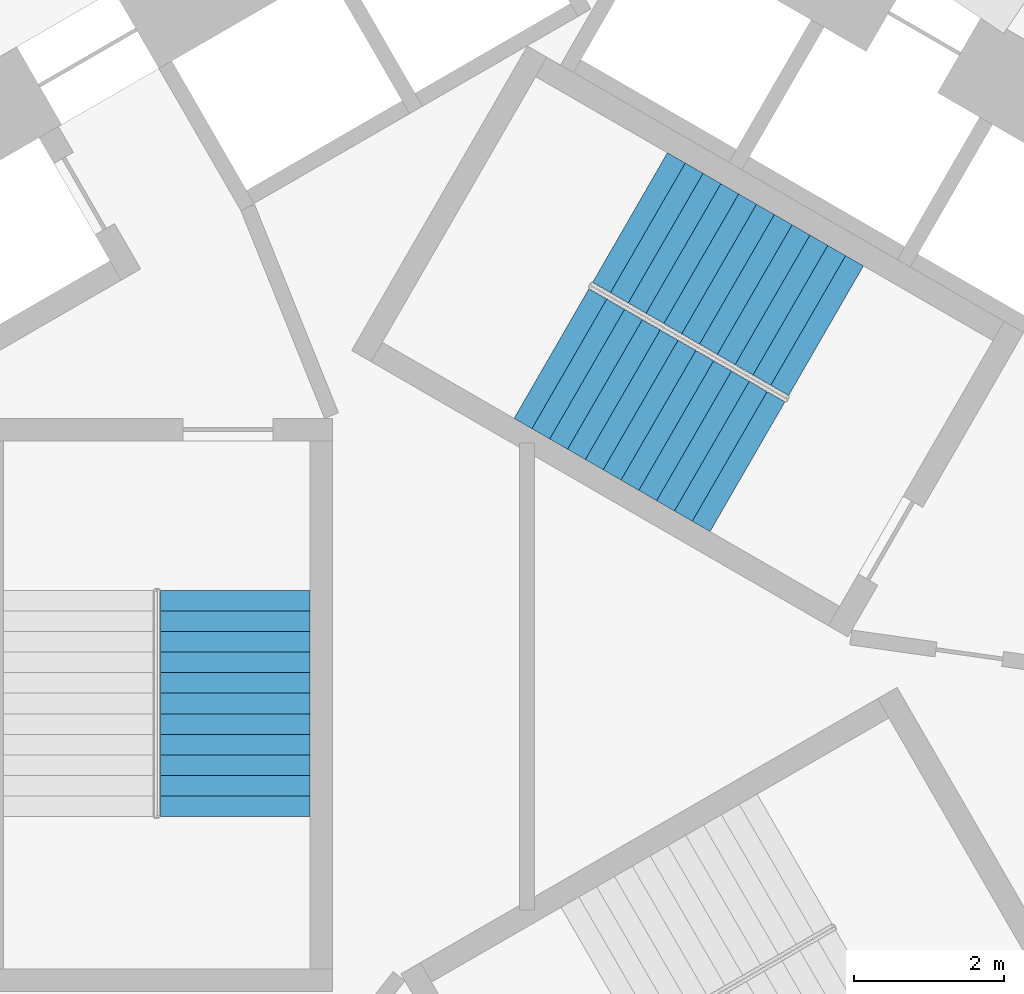
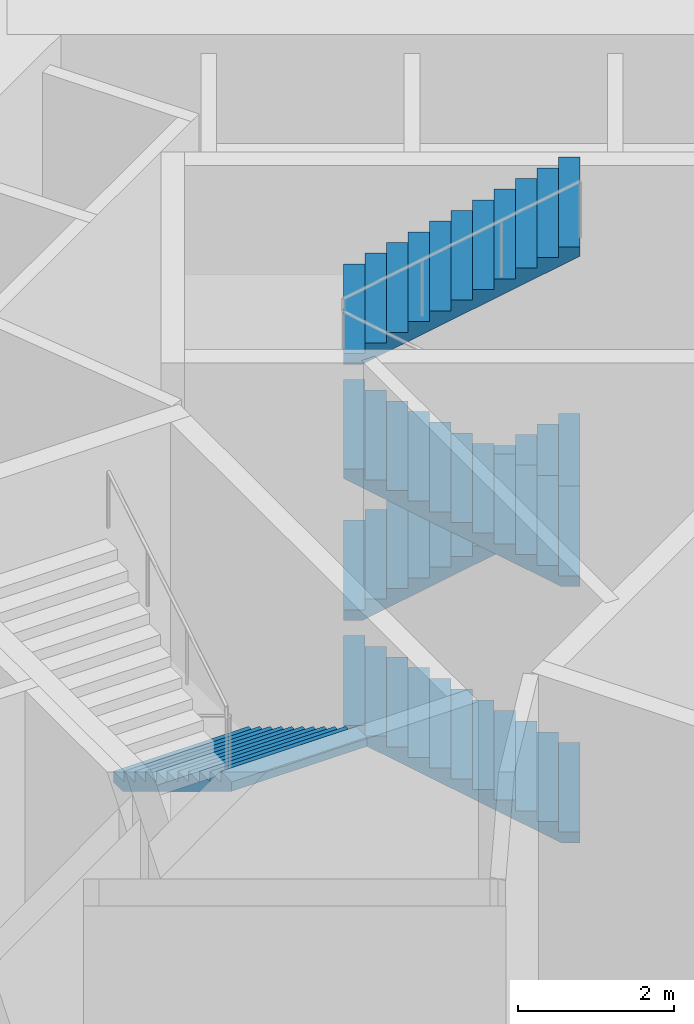
# One storey, part 13 of 15: 5 stair flights, 2 elements without a shape of their own.
"""IFC4 building model written with IfcOpenShell, lengths in metres."""

from ifc_helpers import new_model, si_unit, direction, frame, origin, place, context, subcontext, project, spatial, triangles, source, transform, mapped, material, type_object, element, aggregate, save


model = new_model("IFC4")

# Units and contexts
model_context = context("Model", 3, precision=1e-05, world=origin(), true_north=direction((0.0, 1.0)))
body_context = subcontext(model_context, "Body", "Model", "MODEL_VIEW")
ifc_project = project(units=[si_unit("LENGTHUNIT", "METRE"), si_unit("AREAUNIT", "SQUARE_METRE"), si_unit("VOLUMEUNIT", "CUBIC_METRE"), si_unit("PLANEANGLEUNIT", "RADIAN"), si_unit("MASSUNIT", "GRAM", prefix="KILO")], contexts=[model_context])

# Site, building, storey
site_placement = place(None, origin())
site = spatial("IfcSite", under=ifc_project, at=site_placement, CompositionType="ELEMENT")
building_placement = place(site_placement, origin())
building = spatial("IfcBuilding", under=site, at=building_placement, Name="Vanh Sen Convention Tower", CompositionType="ELEMENT")
storey_placement = place(building_placement, frame((0.0, 0.0, 21.0)))
storey = spatial("IfcBuildingStorey", under=building, at=storey_placement, Name="L03", CompositionType="ELEMENT", Elevation=21.0)

# Stair, stair flights
ifc_material_1 = material(Name="Concrete C50/60", Category="concrete")
stair_type_1 = type_object("IfcStairType", Name="Exit stair ST1 48 risers at 166.7", PredefinedType="HALF_TURN_STAIR", material=ifc_material_1)
stair_1_placement = place(storey_placement, origin())
stair_1 = element("IfcStair", 1, at=stair_1_placement, inside=storey, type_object=stair_type_1, Name="Exit stair ST1 L03", PredefinedType="HALF_TURN_STAIR")
ifc_material_2 = material(Name="Concrete C40/50", Category="concrete")
stair_flight_type = type_object("IfcStairFlightType", Name="Stair flight 2000", PredefinedType="STRAIGHT", material=ifc_material_2)
shared_shape = source(origin(), body_context, "Body", "Tessellation", [
    triangles([(0.2412109375, 1.0, 0.0), (0.0, 1.0, 0.0), (0.0, 1.0, 0.166748046875), (0.27490234375, 1.0, 0.166748046875), (0.27490234375, 1.0, 0.333251953125), (0.550048828125, 1.0, 0.333251953125), (0.550048828125, 1.0, 0.5), (0.824951171875, 1.0, 0.5), (0.824951171875, 1.0, 0.666748046875), (1.10009765625, 1.0, 0.666748046875), (1.10009765625, 1.0, 0.833251953125), (1.375, 1.0, 0.833251953125), (1.375, 1.0, 1.0), (1.64990234375, 1.0, 1.0), (1.64990234375, 1.0, 1.166748046875), (1.925048828125, 1.0, 1.166748046875), (1.925048828125, 1.0, 1.333251953125), (2.199951171875, 1.0, 1.333251953125), (2.199951171875, 1.0, 1.5), (2.47509765625, 1.0, 1.5), (2.47509765625, 1.0, 1.666748046875), (2.75, 1.0, 1.666748046875), (2.75, 1.0, 1.833251953125), (3.02490234375, 1.0, 1.833251953125), (3.02490234375, 1.0, 1.687255859375), (0.2412109375, -1.0, 0.0), (0.0, -1.0, 0.0), (0.0, -1.0, 0.166748046875), (0.27490234375, -1.0, 0.166748046875), (0.27490234375, -1.0, 0.333251953125), (0.550048828125, -1.0, 0.333251953125), (0.550048828125, -1.0, 0.5), (0.824951171875, -1.0, 0.5), (0.824951171875, -1.0, 0.666748046875), (1.10009765625, -1.0, 0.666748046875), (1.10009765625, -1.0, 0.833251953125), (1.375, -1.0, 0.833251953125), (1.375, -1.0, 1.0), (1.64990234375, -1.0, 1.0), (1.64990234375, -1.0, 1.166748046875), (1.925048828125, -1.0, 1.166748046875), (1.925048828125, -1.0, 1.333251953125), (2.199951171875, -1.0, 1.333251953125), (2.199951171875, -1.0, 1.5), (2.47509765625, -1.0, 1.5), (2.47509765625, -1.0, 1.666748046875), (2.75, -1.0, 1.666748046875), (2.75, -1.0, 1.833251953125), (3.02490234375, -1.0, 1.833251953125), (3.02490234375, -1.0, 1.687255859375), (0.0, 0.0400390625, 0.0), (0.0, 0.0390625, 0.0), (0.0, 0.0380859375, 0.0), (0.0, 0.037109375, 0.0), (0.0, 0.035888671875, 0.0), (0.0, 0.034912109375, 0.0), (0.0, 0.033935546875, 0.0), (0.0, 0.032958984375, 0.0), (0.0, 0.031982421875, 0.0), (0.0, 0.031005859375, 0.0), (0.0, 0.030029296875, 0.0), (0.0, 0.029052734375, 0.0), (0.0, 0.028076171875, 0.0), (0.0, 0.027099609375, 0.0), (0.0, 0.02587890625, 0.0), (0.0, 0.02490234375, 0.0), (0.0, 0.02392578125, 0.0), (0.0, 0.02294921875, 0.0), (0.0, 0.02197265625, 0.0), (0.0, 0.02099609375, 0.0), (0.0, 0.02001953125, 0.0), (0.0, 0.01904296875, 0.0), (0.0, 0.01806640625, 0.0), (0.0, 0.01708984375, 0.0), (0.0, 0.01611328125, 0.0), (0.0, 0.014892578125, 0.0), (0.0, 0.013916015625, 0.0), (0.0, 0.012939453125, 0.0), (0.0, 0.011962890625, 0.0), (0.0, 0.010986328125, 0.0), (0.0, 0.010009765625, 0.0), (0.0, 0.009033203125, 0.0), (0.0, 0.008056640625, 0.0), (0.0, 0.007080078125, 0.0), (0.0, 0.006103515625, 0.0), (0.0, 0.0048828125, 0.0), (0.0, 0.00390625, 0.0), (0.0, 0.0029296875, 0.0), (0.0, 0.001953125, 0.0), (0.0, 0.0009765625, 0.0), (0.0, 0.0, 0.0), (0.0, -0.0009765625, 0.0), (0.0, -0.001953125, 0.0), (0.0, -0.0029296875, 0.0), (0.0, -0.00390625, 0.0), (0.0, -0.0048828125, 0.0), (0.0, -0.006103515625, 0.0), (0.0, -0.007080078125, 0.0), (0.0, -0.008056640625, 0.0), (0.0, -0.009033203125, 0.0), (0.0, -0.010009765625, 0.0), (0.0, -0.010986328125, 0.0), (0.0, -0.011962890625, 0.0), (0.0, -0.012939453125, 0.0), (0.0, -0.013916015625, 0.0), (0.0, -0.014892578125, 0.0), (0.0, -0.01611328125, 0.0), (0.0, -0.01708984375, 0.0), (0.0, -0.01806640625, 0.0), (0.0, -0.01904296875, 0.0), (0.0, -0.02001953125, 0.0), (0.0, -0.02099609375, 0.0), (0.0, -0.02197265625, 0.0), (0.0, -0.02294921875, 0.0), (0.0, -0.02392578125, 0.0), (0.0, -0.02490234375, 0.0), (0.0, -0.02587890625, 0.0), (0.0, -0.027099609375, 0.0), (0.0, -0.028076171875, 0.0), (0.0, -0.029052734375, 0.0), (0.0, -0.030029296875, 0.0), (0.0, -0.031005859375, 0.0), (0.0, -0.031982421875, 0.0), (0.0, -0.032958984375, 0.0), (0.0, -0.033935546875, 0.0), (0.0, -0.034912109375, 0.0), (0.0, -0.035888671875, 0.0), (0.0, -0.037109375, 0.0), (0.0, -0.0380859375, 0.0), (0.0, -0.0390625, 0.0), (0.0, -0.0400390625, 0.0), (0.0, 0.0400390625, 0.166748046875), (0.0, 0.0390625, 0.166748046875), (0.0, 0.0380859375, 0.166748046875), (0.0, 0.037109375, 0.166748046875), (0.0, 0.035888671875, 0.166748046875), (0.0, 0.034912109375, 0.166748046875), (0.0, 0.033935546875, 0.166748046875), (0.0, 0.032958984375, 0.166748046875), (0.0, 0.031982421875, 0.166748046875), (0.0, 0.031005859375, 0.166748046875), (0.0, 0.030029296875, 0.166748046875), (0.0, 0.029052734375, 0.166748046875), (0.0, 0.028076171875, 0.166748046875), (0.0, 0.027099609375, 0.166748046875), (0.0, 0.02587890625, 0.166748046875), (0.0, 0.02490234375, 0.166748046875), (0.0, 0.02392578125, 0.166748046875), (0.0, 0.02294921875, 0.166748046875), (0.0, 0.02197265625, 0.166748046875), (0.0, 0.02099609375, 0.166748046875), (0.0, 0.02001953125, 0.166748046875), (0.0, 0.01904296875, 0.166748046875), (0.0, 0.01806640625, 0.166748046875), (0.0, 0.01708984375, 0.166748046875), (0.0, 0.01611328125, 0.166748046875), (0.0, 0.014892578125, 0.166748046875), (0.0, 0.013916015625, 0.166748046875), (0.0, 0.012939453125, 0.166748046875), (0.0, 0.011962890625, 0.166748046875), (0.0, 0.010986328125, 0.166748046875), (0.0, 0.010009765625, 0.166748046875), (0.0, 0.009033203125, 0.166748046875), (0.0, 0.008056640625, 0.166748046875), (0.0, 0.007080078125, 0.166748046875), (0.0, 0.006103515625, 0.166748046875), (0.0, 0.0048828125, 0.166748046875), (0.0, 0.00390625, 0.166748046875), (0.0, 0.0029296875, 0.166748046875), (0.0, 0.001953125, 0.166748046875), (0.0, 0.0009765625, 0.166748046875), (0.0, 0.0, 0.166748046875), (0.0, -0.0009765625, 0.166748046875), (0.0, -0.001953125, 0.166748046875), (0.0, -0.0029296875, 0.166748046875), (0.0, -0.00390625, 0.166748046875), (0.0, -0.0048828125, 0.166748046875), (0.0, -0.006103515625, 0.166748046875), (0.0, -0.007080078125, 0.166748046875), (0.0, -0.008056640625, 0.166748046875), (0.0, -0.009033203125, 0.166748046875), (0.0, -0.010009765625, 0.166748046875), (0.0, -0.010986328125, 0.166748046875), (0.0, -0.011962890625, 0.166748046875), (0.0, -0.012939453125, 0.166748046875), (0.0, -0.013916015625, 0.166748046875), (0.0, -0.014892578125, 0.166748046875), (0.0, -0.01611328125, 0.166748046875), (0.0, -0.01708984375, 0.166748046875), (0.0, -0.01806640625, 0.166748046875), (0.0, -0.01904296875, 0.166748046875), (0.0, -0.02001953125, 0.166748046875), (0.0, -0.02099609375, 0.166748046875), (0.0, -0.02197265625, 0.166748046875), (0.0, -0.02294921875, 0.166748046875), (0.0, -0.02392578125, 0.166748046875), (0.0, -0.02490234375, 0.166748046875), (0.0, -0.02587890625, 0.166748046875), (0.0, -0.027099609375, 0.166748046875), (0.0, -0.028076171875, 0.166748046875), (0.0, -0.029052734375, 0.166748046875), (0.0, -0.030029296875, 0.166748046875), (0.0, -0.031005859375, 0.166748046875), (0.0, -0.031982421875, 0.166748046875), (0.0, -0.032958984375, 0.166748046875), (0.0, -0.033935546875, 0.166748046875), (0.0, -0.034912109375, 0.166748046875), (0.0, -0.035888671875, 0.166748046875), (0.0, -0.037109375, 0.166748046875), (0.0, -0.0380859375, 0.166748046875), (0.0, -0.0390625, 0.166748046875), (0.0, -0.0400390625, 0.166748046875), (0.27490234375, 0.0, 0.166748046875), (0.27490234375, 0.0, 0.333251953125), (0.550048828125, 0.0, 0.333251953125), (0.550048828125, 0.0, 0.5), (0.824951171875, 0.0, 0.5), (0.824951171875, 0.0, 0.666748046875), (1.10009765625, 0.0, 0.666748046875), (1.10009765625, 0.0, 0.833251953125), (1.375, 0.0, 0.833251953125), (1.375, 0.0, 1.0), (1.64990234375, 0.0, 1.0), (1.64990234375, 0.0, 1.166748046875), (1.925048828125, 0.0, 1.166748046875), (1.925048828125, 0.0, 1.333251953125), (2.199951171875, 0.0, 1.333251953125), (2.199951171875, 0.0, 1.5), (2.47509765625, 0.0, 1.5), (2.47509765625, 0.0, 1.666748046875), (2.75, 0.0, 1.666748046875), (2.75, 0.0, 1.833251953125), (3.02490234375, 0.0400390625, 1.833251953125), (3.02490234375, 0.0390625, 1.833251953125), (3.02490234375, 0.0380859375, 1.833251953125), (3.02490234375, 0.037109375, 1.833251953125), (3.02490234375, 0.035888671875, 1.833251953125), (3.02490234375, 0.034912109375, 1.833251953125), (3.02490234375, 0.033935546875, 1.833251953125), (3.02490234375, 0.032958984375, 1.833251953125), (3.02490234375, 0.031982421875, 1.833251953125), (3.02490234375, 0.031005859375, 1.833251953125), (3.02490234375, 0.030029296875, 1.833251953125), (3.02490234375, 0.029052734375, 1.833251953125), (3.02490234375, 0.028076171875, 1.833251953125), (3.02490234375, 0.027099609375, 1.833251953125), (3.02490234375, 0.02587890625, 1.833251953125), (3.02490234375, 0.02490234375, 1.833251953125), (3.02490234375, 0.02392578125, 1.833251953125), (3.02490234375, 0.02294921875, 1.833251953125), (3.02490234375, 0.02197265625, 1.833251953125), (3.02490234375, 0.02099609375, 1.833251953125), (3.02490234375, 0.02001953125, 1.833251953125), (3.02490234375, 0.01904296875, 1.833251953125), (3.02490234375, 0.01806640625, 1.833251953125), (3.02490234375, 0.01708984375, 1.833251953125), (3.02490234375, 0.01611328125, 1.833251953125), (3.02490234375, 0.014892578125, 1.833251953125), (3.02490234375, 0.013916015625, 1.833251953125), (3.02490234375, 0.012939453125, 1.833251953125), (3.02490234375, 0.011962890625, 1.833251953125), (3.02490234375, 0.010986328125, 1.833251953125), (3.02490234375, 0.010009765625, 1.833251953125), (3.02490234375, 0.009033203125, 1.833251953125), (3.02490234375, 0.008056640625, 1.833251953125), (3.02490234375, 0.007080078125, 1.833251953125), (3.02490234375, 0.006103515625, 1.833251953125), (3.02490234375, 0.0048828125, 1.833251953125), (3.02490234375, 0.00390625, 1.833251953125), (3.02490234375, 0.0029296875, 1.833251953125), (3.02490234375, 0.001953125, 1.833251953125), (3.02490234375, 0.0009765625, 1.833251953125), (3.02490234375, 0.0, 1.833251953125), (3.02490234375, -0.0009765625, 1.833251953125), (3.02490234375, -0.001953125, 1.833251953125), (3.02490234375, -0.0029296875, 1.833251953125), (3.02490234375, -0.00390625, 1.833251953125), (3.02490234375, -0.0048828125, 1.833251953125), (3.02490234375, -0.006103515625, 1.833251953125), (3.02490234375, -0.007080078125, 1.833251953125), (3.02490234375, -0.008056640625, 1.833251953125), (3.02490234375, -0.009033203125, 1.833251953125), (3.02490234375, -0.010009765625, 1.833251953125), (3.02490234375, -0.010986328125, 1.833251953125), (3.02490234375, -0.011962890625, 1.833251953125), (3.02490234375, -0.012939453125, 1.833251953125), (3.02490234375, -0.013916015625, 1.833251953125), (3.02490234375, -0.014892578125, 1.833251953125), (3.02490234375, -0.01611328125, 1.833251953125), (3.02490234375, -0.01708984375, 1.833251953125), (3.02490234375, -0.01806640625, 1.833251953125), (3.02490234375, -0.01904296875, 1.833251953125), (3.02490234375, -0.02001953125, 1.833251953125), (3.02490234375, -0.02099609375, 1.833251953125), (3.02490234375, -0.02197265625, 1.833251953125), (3.02490234375, -0.02294921875, 1.833251953125), (3.02490234375, -0.02392578125, 1.833251953125), (3.02490234375, -0.02490234375, 1.833251953125), (3.02490234375, -0.02587890625, 1.833251953125), (3.02490234375, -0.027099609375, 1.833251953125), (3.02490234375, -0.028076171875, 1.833251953125), (3.02490234375, -0.029052734375, 1.833251953125), (3.02490234375, -0.030029296875, 1.833251953125), (3.02490234375, -0.031005859375, 1.833251953125), (3.02490234375, -0.031982421875, 1.833251953125), (3.02490234375, -0.032958984375, 1.833251953125), (3.02490234375, -0.033935546875, 1.833251953125), (3.02490234375, -0.034912109375, 1.833251953125), (3.02490234375, -0.035888671875, 1.833251953125), (3.02490234375, -0.037109375, 1.833251953125), (3.02490234375, -0.0380859375, 1.833251953125), (3.02490234375, -0.0390625, 1.833251953125), (3.02490234375, -0.0400390625, 1.833251953125), (3.02490234375, 0.0400390625, 1.687255859375), (3.02490234375, 0.0390625, 1.687255859375), (3.02490234375, 0.0380859375, 1.687255859375), (3.02490234375, 0.037109375, 1.687255859375), (3.02490234375, 0.035888671875, 1.687255859375), (3.02490234375, 0.034912109375, 1.687255859375), (3.02490234375, 0.033935546875, 1.687255859375), (3.02490234375, 0.032958984375, 1.687255859375), (3.02490234375, 0.031982421875, 1.687255859375), (3.02490234375, 0.031005859375, 1.687255859375), (3.02490234375, 0.030029296875, 1.687255859375), (3.02490234375, 0.029052734375, 1.687255859375), (3.02490234375, 0.028076171875, 1.687255859375), (3.02490234375, 0.027099609375, 1.687255859375), (3.02490234375, 0.02587890625, 1.687255859375), (3.02490234375, 0.02490234375, 1.687255859375), (3.02490234375, 0.02392578125, 1.687255859375), (3.02490234375, 0.02294921875, 1.687255859375), (3.02490234375, 0.02197265625, 1.687255859375), (3.02490234375, 0.02099609375, 1.687255859375), (3.02490234375, 0.02001953125, 1.687255859375), (3.02490234375, 0.01904296875, 1.687255859375), (3.02490234375, 0.01806640625, 1.687255859375), (3.02490234375, 0.01708984375, 1.687255859375), (3.02490234375, 0.01611328125, 1.687255859375), (3.02490234375, 0.014892578125, 1.687255859375), (3.02490234375, 0.013916015625, 1.687255859375), (3.02490234375, 0.012939453125, 1.687255859375), (3.02490234375, 0.011962890625, 1.687255859375), (3.02490234375, 0.010986328125, 1.687255859375), (3.02490234375, 0.010009765625, 1.687255859375), (3.02490234375, 0.009033203125, 1.687255859375), (3.02490234375, 0.008056640625, 1.687255859375), (3.02490234375, 0.007080078125, 1.687255859375), (3.02490234375, 0.006103515625, 1.687255859375), (3.02490234375, 0.0048828125, 1.687255859375), (3.02490234375, 0.00390625, 1.687255859375), (3.02490234375, 0.0029296875, 1.687255859375), (3.02490234375, 0.001953125, 1.687255859375), (3.02490234375, 0.0009765625, 1.687255859375), (3.02490234375, 0.0, 1.687255859375), (3.02490234375, -0.0009765625, 1.687255859375), (3.02490234375, -0.001953125, 1.687255859375), (3.02490234375, -0.0029296875, 1.687255859375), (3.02490234375, -0.00390625, 1.687255859375), (3.02490234375, -0.0048828125, 1.687255859375), (3.02490234375, -0.006103515625, 1.687255859375), (3.02490234375, -0.007080078125, 1.687255859375), (3.02490234375, -0.008056640625, 1.687255859375), (3.02490234375, -0.009033203125, 1.687255859375), (3.02490234375, -0.010009765625, 1.687255859375), (3.02490234375, -0.010986328125, 1.687255859375), (3.02490234375, -0.011962890625, 1.687255859375), (3.02490234375, -0.012939453125, 1.687255859375), (3.02490234375, -0.013916015625, 1.687255859375), (3.02490234375, -0.014892578125, 1.687255859375), (3.02490234375, -0.01611328125, 1.687255859375), (3.02490234375, -0.01708984375, 1.687255859375), (3.02490234375, -0.01806640625, 1.687255859375), (3.02490234375, -0.01904296875, 1.687255859375), (3.02490234375, -0.02001953125, 1.687255859375), (3.02490234375, -0.02099609375, 1.687255859375), (3.02490234375, -0.02197265625, 1.687255859375), (3.02490234375, -0.02294921875, 1.687255859375), (3.02490234375, -0.02392578125, 1.687255859375), (3.02490234375, -0.02490234375, 1.687255859375), (3.02490234375, -0.02587890625, 1.687255859375), (3.02490234375, -0.027099609375, 1.687255859375), (3.02490234375, -0.028076171875, 1.687255859375), (3.02490234375, -0.029052734375, 1.687255859375), (3.02490234375, -0.030029296875, 1.687255859375), (3.02490234375, -0.031005859375, 1.687255859375), (3.02490234375, -0.031982421875, 1.687255859375), (3.02490234375, -0.032958984375, 1.687255859375), (3.02490234375, -0.033935546875, 1.687255859375), (3.02490234375, -0.034912109375, 1.687255859375), (3.02490234375, -0.035888671875, 1.687255859375), (3.02490234375, -0.037109375, 1.687255859375), (3.02490234375, -0.0380859375, 1.687255859375), (3.02490234375, -0.0390625, 1.687255859375), (3.02490234375, -0.0400390625, 1.687255859375), (0.2412109375, 0.0, 0.0)], [[1, 2, 3], [1, 3, 4], [4, 5, 6], [1, 4, 6], [6, 7, 8], [1, 6, 8], [8, 9, 10], [1, 8, 10], [10, 11, 12], [1, 10, 12], [12, 13, 14], [1, 12, 14], [14, 15, 16], [1, 14, 16], [16, 17, 18], [1, 16, 18], [18, 19, 20], [1, 18, 20], [20, 21, 22], [1, 20, 22], [22, 23, 24], [1, 22, 24], [24, 25, 1], [26, 28, 27], [26, 29, 28], [29, 31, 30], [26, 31, 29], [31, 33, 32], [26, 33, 31], [33, 35, 34], [26, 35, 33], [35, 37, 36], [26, 37, 35], [37, 39, 38], [26, 39, 37], [39, 41, 40], [26, 41, 39], [41, 43, 42], [26, 43, 41], [43, 45, 44], [26, 45, 43], [45, 47, 46], [26, 47, 45], [47, 49, 48], [26, 49, 47], [49, 26, 50], [2, 132, 3], [2, 51, 132], [51, 133, 132], [51, 52, 133], [52, 134, 133], [52, 53, 134], [53, 135, 134], [53, 54, 135], [54, 136, 135], [54, 55, 136], [55, 137, 136], [55, 56, 137], [56, 138, 137], [56, 57, 138], [57, 139, 138], [57, 58, 139], [58, 140, 139], [58, 59, 140], [59, 141, 140], [59, 60, 141], [60, 142, 141], [60, 61, 142], [61, 143, 142], [61, 62, 143], [62, 144, 143], [62, 63, 144], [63, 145, 144], [63, 64, 145], [64, 146, 145], [64, 65, 146], [65, 147, 146], [65, 66, 147], [66, 148, 147], [66, 67, 148], [67, 149, 148], [67, 68, 149], [68, 150, 149], [68, 69, 150], [69, 151, 150], [69, 70, 151], [70, 152, 151], [70, 71, 152], [71, 153, 152], [71, 72, 153], [72, 154, 153], [72, 73, 154], [73, 155, 154], [73, 74, 155], [74, 156, 155], [74, 75, 156], [75, 157, 156], [75, 76, 157], [76, 158, 157], [76, 77, 158], [77, 159, 158], [77, 78, 159], [78, 160, 159], [78, 79, 160], [79, 161, 160], [79, 80, 161], [80, 162, 161], [80, 81, 162], [81, 163, 162], [81, 82, 163], [82, 164, 163], [82, 83, 164], [83, 165, 164], [83, 84, 165], [84, 166, 165], [84, 85, 166], [85, 167, 166], [85, 86, 167], [86, 168, 167], [86, 87, 168], [87, 169, 168], [87, 88, 169], [88, 170, 169], [88, 89, 170], [89, 171, 170], [89, 90, 171], [90, 172, 171], [90, 91, 172], [91, 92, 172], [172, 92, 173], [92, 93, 173], [173, 93, 174], [93, 94, 174], [174, 94, 175], [94, 95, 175], [175, 95, 176], [95, 96, 176], [176, 96, 177], [96, 97, 177], [177, 97, 178], [97, 98, 178], [178, 98, 179], [98, 99, 179], [179, 99, 180], [99, 100, 180], [180, 100, 181], [100, 101, 181], [181, 101, 182], [101, 102, 182], [182, 102, 183], [102, 103, 183], [183, 103, 184], [103, 104, 184], [184, 104, 185], [104, 105, 185], [185, 105, 186], [105, 106, 186], [186, 106, 187], [106, 107, 187], [187, 107, 188], [107, 108, 188], [188, 108, 189], [108, 109, 189], [189, 109, 190], [109, 110, 190], [190, 110, 191], [110, 111, 191], [191, 111, 192], [111, 112, 192], [192, 112, 193], [112, 113, 193], [193, 113, 194], [113, 114, 194], [194, 114, 195], [114, 115, 195], [195, 115, 196], [115, 116, 196], [196, 116, 197], [116, 117, 197], [197, 117, 198], [117, 118, 198], [198, 118, 199], [118, 119, 199], [199, 119, 200], [119, 120, 200], [200, 120, 201], [120, 121, 201], [201, 121, 202], [121, 122, 202], [202, 122, 203], [122, 123, 203], [203, 123, 204], [123, 124, 204], [204, 124, 205], [124, 125, 205], [205, 125, 206], [125, 126, 206], [206, 126, 207], [126, 127, 207], [207, 127, 208], [127, 128, 208], [208, 128, 209], [128, 129, 209], [209, 129, 210], [129, 130, 210], [210, 130, 211], [130, 131, 211], [211, 131, 212], [131, 27, 212], [212, 27, 28], [4, 3, 132], [4, 132, 133], [4, 133, 134], [4, 134, 135], [4, 135, 136], [4, 136, 137], [4, 137, 138], [4, 138, 139], [4, 139, 140], [4, 140, 141], [4, 141, 142], [4, 142, 143], [4, 143, 144], [4, 144, 145], [4, 145, 146], [4, 146, 147], [4, 147, 148], [4, 148, 149], [4, 149, 150], [4, 150, 151], [4, 151, 152], [4, 152, 153], [4, 153, 154], [4, 154, 155], [4, 155, 156], [4, 156, 157], [4, 157, 158], [4, 158, 159], [4, 159, 160], [4, 160, 161], [4, 161, 162], [4, 162, 163], [4, 163, 164], [4, 164, 165], [4, 165, 166], [4, 166, 167], [4, 167, 168], [4, 168, 169], [4, 169, 170], [4, 170, 171], [4, 171, 172], [29, 172, 173], [29, 173, 174], [29, 174, 175], [29, 175, 176], [29, 176, 177], [29, 177, 178], [29, 178, 179], [29, 179, 180], [29, 180, 181], [29, 181, 182], [29, 182, 183], [29, 183, 184], [29, 184, 185], [29, 185, 186], [29, 186, 187], [29, 187, 188], [29, 188, 189], [29, 189, 190], [29, 190, 191], [29, 191, 192], [29, 192, 193], [29, 193, 194], [29, 194, 195], [29, 195, 196], [29, 196, 197], [29, 197, 198], [29, 198, 199], [29, 199, 200], [29, 200, 201], [29, 201, 202], [29, 202, 203], [29, 203, 204], [29, 204, 205], [29, 205, 206], [29, 206, 207], [29, 207, 208], [29, 208, 209], [29, 209, 210], [29, 210, 211], [29, 211, 212], [29, 212, 28], [4, 172, 213], [29, 213, 172], [4, 214, 5], [4, 213, 214], [213, 29, 214], [214, 29, 30], [5, 215, 6], [5, 214, 215], [214, 30, 215], [215, 30, 31], [6, 216, 7], [6, 215, 216], [215, 31, 216], [216, 31, 32], [7, 217, 8], [7, 216, 217], [216, 32, 217], [217, 32, 33], [8, 218, 9], [8, 217, 218], [217, 33, 218], [218, 33, 34], [9, 219, 10], [9, 218, 219], [218, 34, 219], [219, 34, 35], [10, 220, 11], [10, 219, 220], [219, 35, 220], [220, 35, 36], [11, 221, 12], [11, 220, 221], [220, 36, 221], [221, 36, 37], [12, 222, 13], [12, 221, 222], [221, 37, 222], [222, 37, 38], [13, 223, 14], [13, 222, 223], [222, 38, 223], [223, 38, 39], [14, 224, 15], [14, 223, 224], [223, 39, 224], [224, 39, 40], [15, 225, 16], [15, 224, 225], [224, 40, 225], [225, 40, 41], [16, 226, 17], [16, 225, 226], [225, 41, 226], [226, 41, 42], [17, 227, 18], [17, 226, 227], [226, 42, 227], [227, 42, 43], [18, 228, 19], [18, 227, 228], [227, 43, 228], [228, 43, 44], [19, 229, 20], [19, 228, 229], [228, 44, 229], [229, 44, 45], [20, 230, 21], [20, 229, 230], [229, 45, 230], [230, 45, 46], [21, 231, 22], [21, 230, 231], [230, 46, 231], [231, 46, 47], [22, 232, 23], [22, 231, 232], [231, 47, 232], [232, 47, 48], [23, 233, 24], [23, 234, 233], [23, 235, 234], [23, 236, 235], [23, 237, 236], [23, 238, 237], [23, 239, 238], [23, 240, 239], [23, 241, 240], [23, 242, 241], [23, 243, 242], [23, 244, 243], [23, 245, 244], [23, 246, 245], [23, 247, 246], [23, 248, 247], [23, 249, 248], [23, 250, 249], [23, 251, 250], [23, 252, 251], [23, 253, 252], [23, 254, 253], [23, 255, 254], [23, 256, 255], [23, 257, 256], [23, 258, 257], [23, 259, 258], [23, 260, 259], [23, 261, 260], [23, 262, 261], [23, 263, 262], [23, 264, 263], [23, 265, 264], [23, 266, 265], [23, 267, 266], [23, 268, 267], [23, 269, 268], [23, 270, 269], [23, 271, 270], [23, 272, 271], [23, 273, 272], [48, 274, 273], [48, 275, 274], [48, 276, 275], [48, 277, 276], [48, 278, 277], [48, 279, 278], [48, 280, 279], [48, 281, 280], [48, 282, 281], [48, 283, 282], [48, 284, 283], [48, 285, 284], [48, 286, 285], [48, 287, 286], [48, 288, 287], [48, 289, 288], [48, 290, 289], [48, 291, 290], [48, 292, 291], [48, 293, 292], [48, 294, 293], [48, 295, 294], [48, 296, 295], [48, 297, 296], [48, 298, 297], [48, 299, 298], [48, 300, 299], [48, 301, 300], [48, 302, 301], [48, 303, 302], [48, 304, 303], [48, 305, 304], [48, 306, 305], [48, 307, 306], [48, 308, 307], [48, 309, 308], [48, 310, 309], [48, 311, 310], [48, 312, 311], [48, 313, 312], [48, 49, 313], [23, 232, 273], [48, 273, 232], [24, 314, 25], [24, 233, 314], [233, 315, 314], [233, 234, 315], [234, 316, 315], [234, 235, 316], [235, 317, 316], [235, 236, 317], [236, 318, 317], [236, 237, 318], [237, 319, 318], [237, 238, 319], [238, 320, 319], [238, 239, 320], [239, 321, 320], [239, 240, 321], [240, 322, 321], [240, 241, 322], [241, 323, 322], [241, 242, 323], [242, 324, 323], [242, 243, 324], [243, 325, 324], [243, 244, 325], [244, 326, 325], [244, 245, 326], [245, 327, 326], [245, 246, 327], [246, 328, 327], [246, 247, 328], [247, 329, 328], [247, 248, 329], [248, 330, 329], [248, 249, 330], [249, 331, 330], [249, 250, 331], [250, 332, 331], [250, 251, 332], [251, 333, 332], [251, 252, 333], [252, 334, 333], [252, 253, 334], [253, 335, 334], [253, 254, 335], [254, 336, 335], [254, 255, 336], [255, 337, 336], [255, 256, 337], [256, 338, 337], [256, 257, 338], [257, 339, 338], [257, 258, 339], [258, 340, 339], [258, 259, 340], [259, 341, 340], [259, 260, 341], [260, 342, 341], [260, 261, 342], [261, 343, 342], [261, 262, 343], [262, 344, 343], [262, 263, 344], [263, 345, 344], [263, 264, 345], [264, 346, 345], [264, 265, 346], [265, 347, 346], [265, 266, 347], [266, 348, 347], [266, 267, 348], [267, 349, 348], [267, 268, 349], [268, 350, 349], [268, 269, 350], [269, 351, 350], [269, 270, 351], [270, 352, 351], [270, 271, 352], [271, 353, 352], [271, 272, 353], [272, 354, 353], [272, 273, 354], [273, 274, 354], [354, 274, 355], [274, 275, 355], [355, 275, 356], [275, 276, 356], [356, 276, 357], [276, 277, 357], [357, 277, 358], [277, 278, 358], [358, 278, 359], [278, 279, 359], [359, 279, 360], [279, 280, 360], [360, 280, 361], [280, 281, 361], [361, 281, 362], [281, 282, 362], [362, 282, 363], [282, 283, 363], [363, 283, 364], [283, 284, 364], [364, 284, 365], [284, 285, 365], [365, 285, 366], [285, 286, 366], [366, 286, 367], [286, 287, 367], [367, 287, 368], [287, 288, 368], [368, 288, 369], [288, 289, 369], [369, 289, 370], [289, 290, 370], [370, 290, 371], [290, 291, 371], [371, 291, 372], [291, 292, 372], [372, 292, 373], [292, 293, 373], [373, 293, 374], [293, 294, 374], [374, 294, 375], [294, 295, 375], [375, 295, 376], [295, 296, 376], [376, 296, 377], [296, 297, 377], [377, 297, 378], [297, 298, 378], [378, 298, 379], [298, 299, 379], [379, 299, 380], [299, 300, 380], [380, 300, 381], [300, 301, 381], [381, 301, 382], [301, 302, 382], [382, 302, 383], [302, 303, 383], [383, 303, 384], [303, 304, 384], [384, 304, 385], [304, 305, 385], [385, 305, 386], [305, 306, 386], [386, 306, 387], [306, 307, 387], [387, 307, 388], [307, 308, 388], [388, 308, 389], [308, 309, 389], [389, 309, 390], [309, 310, 390], [390, 310, 391], [310, 311, 391], [391, 311, 392], [311, 312, 392], [392, 312, 393], [312, 313, 393], [393, 313, 394], [313, 49, 394], [394, 49, 50], [1, 25, 314], [1, 314, 315], [1, 315, 316], [1, 316, 317], [1, 317, 318], [1, 318, 319], [1, 319, 320], [1, 320, 321], [1, 321, 322], [1, 322, 323], [1, 323, 324], [1, 324, 325], [1, 325, 326], [1, 326, 327], [1, 327, 328], [1, 328, 329], [1, 329, 330], [1, 330, 331], [1, 331, 332], [1, 332, 333], [1, 333, 334], [1, 334, 335], [1, 335, 336], [1, 336, 337], [1, 337, 338], [1, 338, 339], [1, 339, 340], [1, 340, 341], [1, 341, 342], [1, 342, 343], [1, 343, 344], [1, 344, 345], [1, 345, 346], [1, 346, 347], [1, 347, 348], [1, 348, 349], [1, 349, 350], [1, 350, 351], [1, 351, 352], [1, 352, 353], [1, 353, 354], [26, 354, 355], [26, 355, 356], [26, 356, 357], [26, 357, 358], [26, 358, 359], [26, 359, 360], [26, 360, 361], [26, 361, 362], [26, 362, 363], [26, 363, 364], [26, 364, 365], [26, 365, 366], [26, 366, 367], [26, 367, 368], [26, 368, 369], [26, 369, 370], [26, 370, 371], [26, 371, 372], [26, 372, 373], [26, 373, 374], [26, 374, 375], [26, 375, 376], [26, 376, 377], [26, 377, 378], [26, 378, 379], [26, 379, 380], [26, 380, 381], [26, 381, 382], [26, 382, 383], [26, 383, 384], [26, 384, 385], [26, 385, 386], [26, 386, 387], [26, 387, 388], [26, 388, 389], [26, 389, 390], [26, 390, 391], [26, 391, 392], [26, 392, 393], [26, 393, 394], [26, 394, 50], [1, 354, 395], [26, 395, 354], [1, 51, 2], [1, 52, 51], [1, 53, 52], [1, 54, 53], [1, 55, 54], [1, 56, 55], [1, 57, 56], [1, 58, 57], [1, 59, 58], [1, 60, 59], [1, 61, 60], [1, 62, 61], [1, 63, 62], [1, 64, 63], [1, 65, 64], [1, 66, 65], [1, 67, 66], [1, 68, 67], [1, 69, 68], [1, 70, 69], [1, 71, 70], [1, 72, 71], [1, 73, 72], [1, 74, 73], [1, 75, 74], [1, 76, 75], [1, 77, 76], [1, 78, 77], [1, 79, 78], [1, 80, 79], [1, 81, 80], [1, 82, 81], [1, 83, 82], [1, 84, 83], [1, 85, 84], [1, 86, 85], [1, 87, 86], [1, 88, 87], [1, 89, 88], [1, 90, 89], [1, 91, 90], [26, 92, 91], [26, 93, 92], [26, 94, 93], [26, 95, 94], [26, 96, 95], [26, 97, 96], [26, 98, 97], [26, 99, 98], [26, 100, 99], [26, 101, 100], [26, 102, 101], [26, 103, 102], [26, 104, 103], [26, 105, 104], [26, 106, 105], [26, 107, 106], [26, 108, 107], [26, 109, 108], [26, 110, 109], [26, 111, 110], [26, 112, 111], [26, 113, 112], [26, 114, 113], [26, 115, 114], [26, 116, 115], [26, 117, 116], [26, 118, 117], [26, 119, 118], [26, 120, 119], [26, 121, 120], [26, 122, 121], [26, 123, 122], [26, 124, 123], [26, 125, 124], [26, 126, 125], [26, 127, 126], [26, 128, 127], [26, 129, 128], [26, 130, 129], [26, 131, 130], [26, 27, 131], [1, 395, 91], [26, 91, 395]], closed=True),
])
stair_flight_1_placement = place(storey_placement, frame((2.94580078125, 2.802490234375, 0.0), z_axis=(0.0, 0.0, 1.0), x_axis=(-0.866025403784, 0.5, 0.0)))
stair_flight_1 = element("IfcStairFlight", 2, at=stair_flight_1_placement, type_object=stair_flight_type, Name="ST1 flight 1", NumberOfRisers=12, NumberOfTreads=11, PredefinedType="STRAIGHT", RiserHeight=0.166666667, TreadLength=0.275, context=body_context, shape_type="MappedRepresentation", body=[
    mapped(shared_shape, transform((0.0, 0.0, 0.0))),
])
stair_flight_2_placement = place(storey_placement, frame((1.376220703125, 6.1337890625, 2.0), z_axis=(0.0, 0.0, 1.0), x_axis=(0.866025403784, -0.5, 0.0)))
stair_flight_2 = element("IfcStairFlight", 3, at=stair_flight_2_placement, type_object=stair_flight_type, Name="ST1 flight 2", NumberOfRisers=12, NumberOfTreads=11, PredefinedType="STRAIGHT", RiserHeight=0.166666667, TreadLength=0.275, context=body_context, shape_type="MappedRepresentation", body=[
    mapped(shared_shape, transform((0.0, 0.0, 0.0))),
])
stair_flight_3_placement = place(storey_placement, frame((2.94580078125, 2.802490234375, 4.0), z_axis=(0.0, 0.0, 1.0), x_axis=(-0.866025403784, 0.5, 0.0)))
stair_flight_3 = element("IfcStairFlight", 4, at=stair_flight_3_placement, type_object=stair_flight_type, Name="ST1 flight 3", NumberOfRisers=12, NumberOfTreads=11, PredefinedType="STRAIGHT", RiserHeight=0.166666667, TreadLength=0.275, context=body_context, shape_type="MappedRepresentation", body=[
    mapped(shared_shape, transform((0.0, 0.0, 0.0))),
])
stair_flight_4_placement = place(storey_placement, frame((1.376220703125, 6.1337890625, 6.0), z_axis=(0.0, 0.0, 1.0), x_axis=(0.866025403784, -0.5, 0.0)))
stair_flight_4 = element("IfcStairFlight", 5, at=stair_flight_4_placement, type_object=stair_flight_type, Name="ST1 flight 4", NumberOfRisers=12, NumberOfTreads=11, PredefinedType="STRAIGHT", RiserHeight=0.166666667, TreadLength=0.275, context=body_context, shape_type="MappedRepresentation", body=[
    mapped(shared_shape, transform((0.0, 0.0, 0.0))),
])
aggregate(stair_1, [stair_flight_1, stair_flight_2, stair_flight_3, stair_flight_4])

# Stair, stair flight
stair_type_2 = type_object("IfcStairType", Name="Exit stair ST2 48 risers at 166.7", PredefinedType="HALF_TURN_STAIR", material=ifc_material_1)
stair_2_placement = place(storey_placement, origin())
stair_2 = element("IfcStair", 6, at=stair_2_placement, inside=storey, type_object=stair_type_2, Name="Exit stair ST2 L03", PredefinedType="HALF_TURN_STAIR")
stair_flight_5_placement = place(storey_placement, frame((-3.89990234375, 1.14990234375, 4.0), z_axis=(0.0, 0.0, 1.0), x_axis=(0.0, -1.0, 0.0)))
stair_flight_5 = element("IfcStairFlight", 7, at=stair_flight_5_placement, type_object=stair_flight_type, Name="ST2 flight 3", NumberOfRisers=12, NumberOfTreads=11, PredefinedType="STRAIGHT", RiserHeight=0.166666667, TreadLength=0.275, context=body_context, shape_type="MappedRepresentation", body=[
    mapped(shared_shape, transform((0.0, 0.0, 0.0))),
])
aggregate(stair_2, [stair_flight_5])

save(model, "model.ifc")
